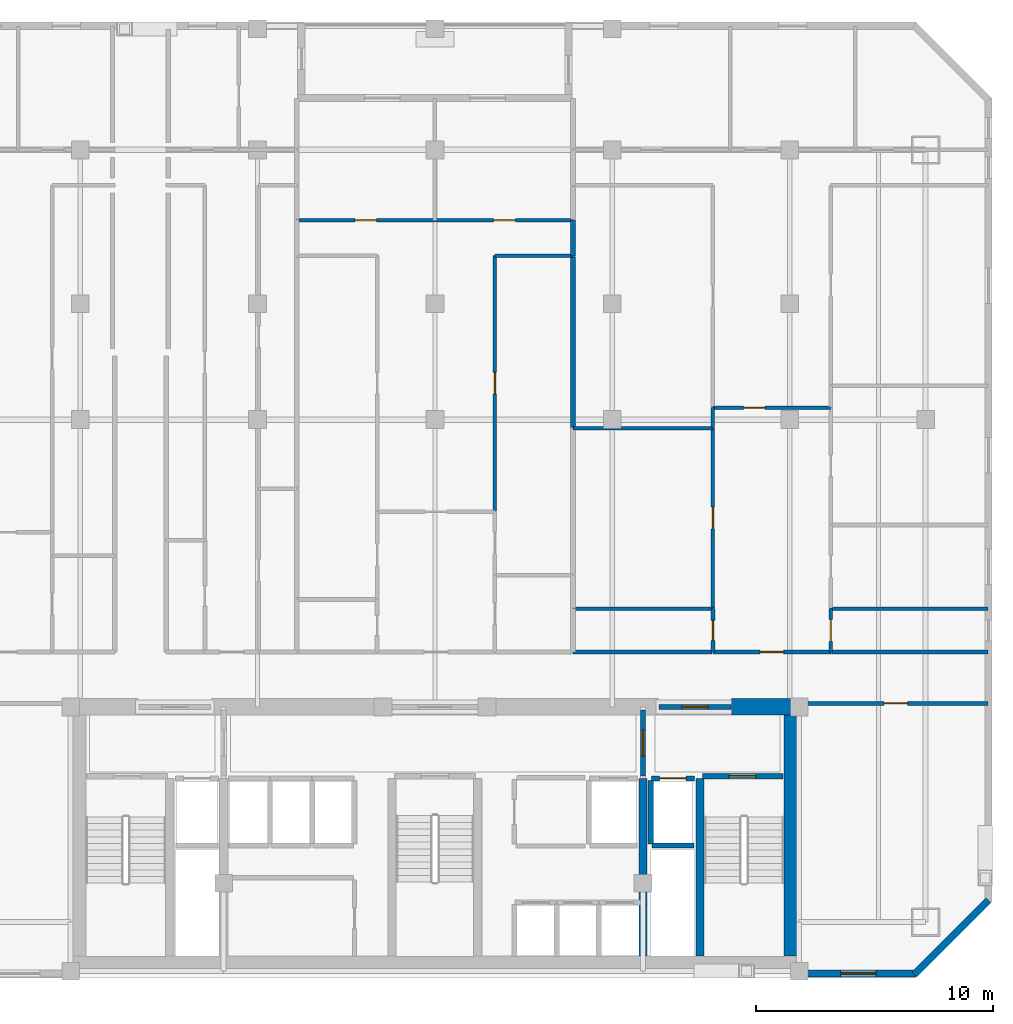
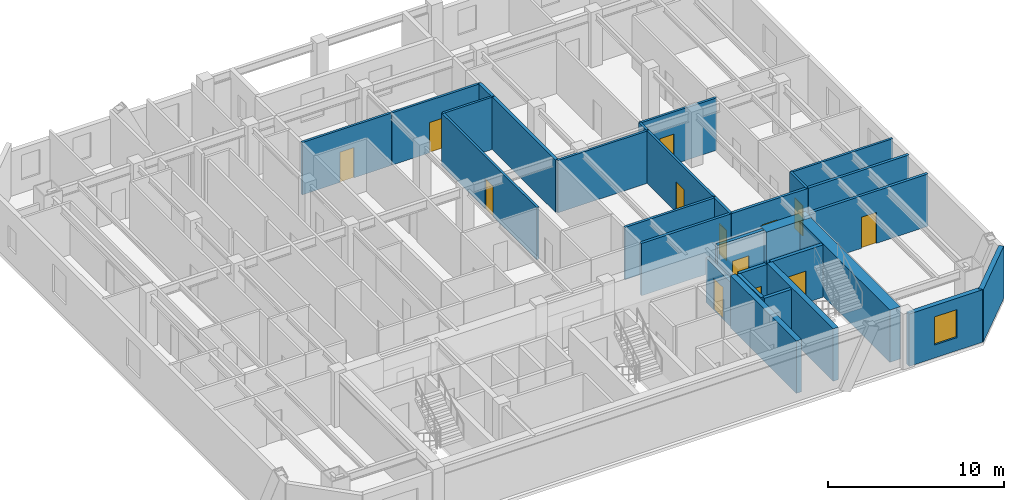
# One storey, part 5 of 8: 30 walls, 13 doors, 1 window, 14 openings.
"""IFC4 building model written with IfcOpenShell, lengths in metres."""

from ifc_helpers import new_model, si_unit, direction, frame, frame_2d, origin, place, context, subcontext, project, spatial, rectangle, extrude, material, layer, layer_set, type_object, element, fill, save


model = new_model("IFC4")

# Units and contexts
model_context = context("Model", 3, precision=1e-05, world=origin(), true_north=direction((0.0, 1.0)))
body_context = subcontext(model_context, "Body", "Model", "MODEL_VIEW")
ifc_project = project(units=[si_unit("LENGTHUNIT", "METRE"), si_unit("AREAUNIT", "SQUARE_METRE"), si_unit("VOLUMEUNIT", "CUBIC_METRE"), si_unit("PLANEANGLEUNIT", "RADIAN"), si_unit("MASSUNIT", "GRAM", prefix="KILO")], contexts=[model_context])

# Site, building, storey
site_placement = place(None, origin())
site = spatial("IfcSite", under=ifc_project, at=site_placement, CompositionType="ELEMENT")
building_placement = place(site_placement, origin())
building = spatial("IfcBuilding", under=site, at=building_placement, Name="Ventersveld Concourse Tower", CompositionType="ELEMENT")
storey_placement = place(building_placement, frame((0.0, 0.0, 179.85009765625)))
storey = spatial("IfcBuildingStorey", under=building, at=storey_placement, Name="L44", CompositionType="ELEMENT", Elevation=179.85009765625)

# Walls
ifc_material_1 = material(Name="Concrete C60/75", Category="concrete")
ifc_layer_1 = layer(ifc_material_1, 0.35009765625)
ifc_layer_set_1 = layer_set([ifc_layer_1], Name="Concrete C60/75")
wall_type_1 = type_object("IfcWallType", Name="WL-CORE-350L", PredefinedType="SHEAR", material=ifc_layer_set_1)
for number, where, z_axis, x_axis, name in (
    (1, (37.550048828125, 0.919921875, 0.0), (0.0, 0.0, 1.0), (0.0, 1.0, 0.0), "L44 Core Internal Shear Web W-SVL-W"),
    (2, (39.9599609375, 0.919921875, 0.0), (0.0, 0.0, 1.0), (0.0, 1.0, 0.0), "L44 Core Internal Shear Web W-ST2-W"),
):
    element("IfcWall", number, at=place(storey_placement, frame(where, z_axis=z_axis, x_axis=x_axis)), inside=storey, type_object=wall_type_1, Name=name, PredefinedType="SHEAR", context=body_context, shape_type="SweptSolid", body=[
        extrude(rectangle(XDim=7.5, YDim=0.35009765625, at=frame_2d((3.75, 0.0))), origin(), (0.0, 0.0, 1.0), 3.6298828125),
    ])
ifc_layer_2 = layer(ifc_material_1, 0.699951171875)
ifc_layer_set_2 = layer_set([ifc_layer_2], Name="Concrete C60/75")
wall_type_2 = type_object("IfcWallType", Name="WL-CORE-700", PredefinedType="SHEAR", material=ifc_layer_set_2)
wall_1_placement = place(storey_placement, frame((43.85009765625, 0.919921875, 0.0), z_axis=(0.0, 0.0, 1.0), x_axis=(0.0, 1.0, 0.0)))
element("IfcWall", 3, at=wall_1_placement, inside=storey, type_object=wall_type_2, Name="L44 Rear Core East Shear Wall", PredefinedType="SHEAR", context=body_context, shape_type="SweptSolid", body=[
    extrude(rectangle(XDim=10.530029296875, YDim=0.699951171875, at=frame_2d((5.26513671875, 0.0))), origin(), (0.0, 0.0, 1.0), 3.6298828125),
])
wall_2_placement = place(storey_placement, frame((41.300048828125, 11.449951171875, 0.0), z_axis=(0.0, 0.0, 1.0), x_axis=(1.0, 0.0, 0.0)))
element("IfcWall", 4, at=wall_2_placement, inside=storey, type_object=wall_type_2, Name="L44 Rear Core North Shear Wall NE", PredefinedType="SHEAR", context=body_context, shape_type="SweptSolid", body=[
    extrude(rectangle(XDim=2.949951171875, YDim=0.699951171875, at=frame_2d((1.47509765625, 0.0))), origin(), (0.0, 0.0, 1.0), 3.6298828125),
])

# Wall, opening, door
ifc_material_2 = material(Name="Fire-rated autoclaved aerated masonry blockwork", Category="masonry")
ifc_layer_3 = layer(ifc_material_2, 0.179931640625)
ifc_layer_set_3 = layer_set([ifc_layer_3], Name="Fire-rated autoclaved aerated masonry blockwork")
wall_type_3 = type_object("IfcWallType", Name="WL-CORR-180", PredefinedType="PARTITIONING", material=ifc_layer_set_3)
wall_3_placement = place(storey_placement, frame((44.35498046875, 11.60009765625, 0.0), z_axis=(0.0, 0.0, 1.0), x_axis=(1.0, 0.0, 0.0)))
wall_3 = element("IfcWall", 5, at=wall_3_placement, inside=storey, type_object=wall_type_3, Name="L44 Interior Partition SP-L44-SE-OFF-SP-L44-COR", PredefinedType="PARTITIONING", context=body_context, shape_type="SweptSolid", body=[
    extrude(rectangle(XDim=7.7724609375, YDim=0.179931640625, at=frame_2d((3.88623046875, 0.0))), origin(), (0.0, 0.0, 1.0), 3.6298828125),
])
opening_1_placement = place(wall_3_placement, frame((3.38623046875, 0.0, 0.0)))
opening_1 = element("IfcOpeningElement", 6, at=opening_1_placement, cuts=wall_3, Name="Opening FD3", PredefinedType="OPENING", context=body_context, shape_type="SweptSolid", body=[
    extrude(rectangle(XDim=1.0, YDim=2.14990234375, at=frame_2d((0.5, 1.074951171875))), frame((0.0, 0.10009765625, 0.0), z_axis=(0.0, -1.0, 0.0), x_axis=(1.0, 0.0, 0.0)), (0.0, 0.0, 1.0), 0.199951171875),
])
ifc_material_3 = material(Name="Solid-core hardwood veneer timber", Category="wood")
door_type_1 = type_object("IfcDoorType", Name="DR-FLAT-100", OperationType="NOTDEFINED", PredefinedType="DOOR", material=ifc_material_3)
door_1_placement = place(opening_1_placement, origin())
door_1 = element("IfcDoor", 7, at=door_1_placement, inside=storey, type_object=door_type_1, Name="L44 Interior Door SP-L44-SE-OFF to SP-L44-COR (D-L44-2152)", OperationType="SINGLE_SWING_RIGHT", OverallHeight=2.14990234375, OverallWidth=1.0, PredefinedType="DOOR", context=body_context, shape_type="SweptSolid", body=[
    extrude(rectangle(XDim=1.0, YDim=2.14990234375, at=frame_2d((0.5, 1.074951171875))), frame((0.0, 0.02490234375, 0.0), z_axis=(0.0, -1.0, 0.0), x_axis=(1.0, 0.0, 0.0)), (0.0, 0.0, 1.0), 0.050048828125),
])
fill(opening_1, door_1)

wall_4_placement = place(storey_placement, frame((40.500244140625, 13.77001953125, 0.0), z_axis=(0.0, 0.0, 1.0), x_axis=(1.0, 0.0, 0.0)))
wall_4 = element("IfcWall", 8, at=wall_4_placement, inside=storey, type_object=wall_type_3, Name="L44 Interior Partition SP-L44-COR-SP-L44-44CE-FOY", PredefinedType="PARTITIONING", context=body_context, shape_type="SweptSolid", body=[
    extrude(rectangle(XDim=4.989990234375, YDim=0.179931640625, at=frame_2d((2.4951171875, 0.0))), origin(), (0.0, 0.0, 1.0), 3.6298828125),
])
opening_2_placement = place(wall_4_placement, frame((1.9951171875, 0.0, 0.0)))
opening_2 = element("IfcOpeningElement", 9, at=opening_2_placement, cuts=wall_4, Name="Opening FD3", PredefinedType="OPENING", context=body_context, shape_type="SweptSolid", body=[
    extrude(rectangle(XDim=1.0, YDim=2.14990234375, at=frame_2d((0.5, 1.074951171875))), frame((0.0, 0.10009765625, 0.0), z_axis=(0.0, -1.0, 0.0), x_axis=(1.0, 0.0, 0.0)), (0.0, 0.0, 1.0), 0.199951171875),
])
door_2_placement = place(opening_2_placement, origin())
door_2 = element("IfcDoor", 10, at=door_2_placement, inside=storey, type_object=door_type_1, Name="L44 Interior Door SP-L44-COR to SP-L44-44CE-FOY (FD-L44-2155)", OperationType="SINGLE_SWING_LEFT", OverallHeight=2.14990234375, OverallWidth=1.0, PredefinedType="DOOR", context=body_context, shape_type="SweptSolid", body=[
    extrude(rectangle(XDim=1.0, YDim=2.14990234375, at=frame_2d((0.5, 1.074951171875))), frame((0.0, 0.02490234375, 0.0), z_axis=(0.0, -1.0, 0.0), x_axis=(1.0, 0.0, 0.0)), (0.0, 0.0, 1.0), 0.050048828125),
])
fill(opening_2, door_2)

# Walls
wall_5_placement = place(storey_placement, frame((34.5849609375, 13.77001953125, 0.0), z_axis=(0.0, 0.0, 1.0), x_axis=(1.0, 0.0, 0.0)))
element("IfcWall", 11, at=wall_5_placement, inside=storey, type_object=wall_type_3, Name="L44 Interior Partition SP-L44-COR-SP-L44-44CE-BATH", PredefinedType="PARTITIONING", context=body_context, shape_type="SweptSolid", body=[
    extrude(rectangle(XDim=5.88525390625, YDim=0.179931640625, at=frame_2d((2.942626953125, 0.0))), origin(), (0.0, 0.0, 1.0), 3.6298828125),
])
wall_6_placement = place(storey_placement, frame((45.520263671875, 13.77001953125, 0.0), z_axis=(0.0, 0.0, 1.0), x_axis=(1.0, 0.0, 0.0)))
element("IfcWall", 12, at=wall_6_placement, inside=storey, type_object=wall_type_3, Name="L44 Interior Partition SP-L44-COR-SP-L44-44CE-KIT", PredefinedType="PARTITIONING", context=body_context, shape_type="SweptSolid", body=[
    extrude(rectangle(XDim=6.607177734375, YDim=0.179931640625, at=frame_2d((3.3037109375, 0.0))), origin(), (0.0, 0.0, 1.0), 3.6298828125),
])
ifc_layer_4 = layer(ifc_material_2, 0.199951171875)
ifc_layer_set_4 = layer_set([ifc_layer_4], Name="Fire-rated autoclaved aerated masonry blockwork")
wall_type_4 = type_object("IfcWallType", Name="WL-DEMISE-200", PredefinedType="PARTITIONING", material=ifc_layer_set_4)
wall_7_placement = place(storey_placement, frame((34.590087890625, 30.52490234375, 0.0), z_axis=(0.0, 0.0, 1.0), x_axis=(0.0, 1.0, 0.0)))
element("IfcWall", 13, at=wall_7_placement, inside=storey, type_object=wall_type_4, Name="L44 Interior Partition SP-L44-44CE-DENL2-SP-L44-44CM-LIV", PredefinedType="PARTITIONING", context=body_context, shape_type="SweptSolid", body=[
    extrude(rectangle(XDim=1.510009765625, YDim=0.199951171875, at=frame_2d((0.7548828125, 0.0))), origin(), (0.0, 0.0, 1.0), 3.6298828125),
])
wall_8_placement = place(storey_placement, frame((34.590087890625, 23.271484375, 0.0), z_axis=(0.0, 0.0, 1.0), x_axis=(0.0, 1.0, 0.0)))
element("IfcWall", 14, at=wall_8_placement, inside=storey, type_object=wall_type_4, Name="L44 Interior Partition SP-L44-44CE-DENL2-SP-L44-44CM-SEMR1", PredefinedType="PARTITIONING", context=body_context, shape_type="SweptSolid", body=[
    extrude(rectangle(XDim=7.2236328125, YDim=0.199951171875, at=frame_2d((3.61181640625, 0.0))), origin(), (0.0, 0.0, 1.0), 3.6298828125),
])
ifc_layer_5 = layer(ifc_material_2, 0.219970703125)
ifc_layer_set_5 = layer_set([ifc_layer_5], Name="Fire-rated autoclaved aerated masonry blockwork")
wall_type_5 = type_object("IfcWallType", Name="WL-HOIST-220", PredefinedType="SOLIDWALL", material=ifc_layer_set_5)
wall_9_placement = place(storey_placement, frame((37.919921875, 5.590087890625, 0.0), z_axis=(0.0, 0.0, 1.0), x_axis=(1.0, 0.0, 0.0)))
element("IfcWall", 15, at=wall_9_placement, inside=storey, type_object=wall_type_5, Name="L44 Lift Hoistway Back Wall FFL-02", PredefinedType="SOLIDWALL", context=body_context, shape_type="SweptSolid", body=[
    extrude(rectangle(XDim=1.780029296875, YDim=0.219970703125, at=frame_2d((0.89013671875, 0.0))), origin(), (0.0, 0.0, 1.0), 3.6298828125),
])
wall_10_placement = place(storey_placement, frame((37.8798828125, 5.64990234375, 0.0), z_axis=(0.0, 0.0, 1.0), x_axis=(0.0, 1.0, 0.0)))
element("IfcWall", 16, at=wall_10_placement, inside=storey, type_object=wall_type_5, Name="L44 Lift Hoistway Side Wall FFL-02W", PredefinedType="SOLIDWALL", context=body_context, shape_type="SweptSolid", body=[
    extrude(rectangle(XDim=2.7001953125, YDim=0.219970703125, at=frame_2d((1.35009765625, 0.0))), origin(), (0.0, 0.0, 1.0), 3.6298828125),
])

# Wall, opening, door
wall_11_placement = place(storey_placement, frame((37.89990234375, 8.429931640625, 0.0), z_axis=(0.0, 0.0, 1.0), x_axis=(1.0, 0.0, 0.0)))
wall_11 = element("IfcWall", 17, at=wall_11_placement, inside=storey, type_object=wall_type_5, Name="L44 Lift Hoistway Front Wall FFL-02", PredefinedType="SOLIDWALL", context=body_context, shape_type="SweptSolid", body=[
    extrude(rectangle(XDim=1.820068359375, YDim=0.219970703125, at=frame_2d((0.91015625, 0.0))), origin(), (0.0, 0.0, 1.0), 3.6298828125),
])
opening_3_placement = place(wall_11_placement, frame((0.35009765625, 0.0, 0.0)))
opening_3 = element("IfcOpeningElement", 18, at=opening_3_placement, cuts=wall_11, Name="Opening LD1", PredefinedType="OPENING", context=body_context, shape_type="SweptSolid", body=[
    extrude(rectangle(XDim=1.1201171875, YDim=2.25, at=frame_2d((0.56005859375, 1.125))), frame((0.0, 0.1201171875, 0.0), z_axis=(0.0, -1.0, 0.0), x_axis=(1.0, 0.0, 0.0)), (0.0, 0.0, 1.0), 0.239990234375),
])
ifc_material_4 = material(Name="Brushed stainless steel 316", Category="steel")
door_type_2 = type_object("IfcDoorType", Name="LD-FF-112", OperationType="SLIDING_TO_LEFT", PredefinedType="DOOR", material=ifc_material_4)
door_3_placement = place(opening_3_placement, origin())
door_3 = element("IfcDoor", 19, at=door_3_placement, inside=storey, type_object=door_type_2, Name="L44 Lift landing door FFL-02 (LD-L44-FFL-02)", OperationType="SLIDING_TO_RIGHT", OverallHeight=2.25, OverallWidth=1.1201171875, PredefinedType="DOOR", context=body_context, shape_type="SweptSolid", body=[
    extrude(rectangle(XDim=1.1201171875, YDim=2.25, at=frame_2d((0.56005859375, 1.125))), frame((0.0, 0.02490234375, 0.0), z_axis=(0.0, -1.0, 0.0), x_axis=(1.0, 0.0, 0.0)), (0.0, 0.0, 1.0), 0.050048828125),
])
fill(opening_3, door_3)

wall_12_placement = place(storey_placement, frame((40.06005859375, 8.52001953125, 0.0), z_axis=(0.0, 0.0, 1.0), x_axis=(1.0, 0.0, 0.0)))
wall_12 = element("IfcWall", 20, at=wall_12_placement, inside=storey, type_object=wall_type_5, Name="L44 Escape Stair ST02 Fire Wall", PredefinedType="SOLIDWALL", context=body_context, shape_type="SweptSolid", body=[
    extrude(rectangle(XDim=3.39990234375, YDim=0.219970703125, at=frame_2d((1.699951171875, 0.0))), origin(), (0.0, 0.0, 1.0), 3.6298828125),
])
opening_4_placement = place(wall_12_placement, frame((1.125, 0.0, 0.0)))
opening_4 = element("IfcOpeningElement", 21, at=opening_4_placement, cuts=wall_12, Name="Opening FD1", PredefinedType="OPENING", context=body_context, shape_type="SweptSolid", body=[
    extrude(rectangle(XDim=1.14990234375, YDim=2.199951171875, at=frame_2d((0.574951171875, 1.10009765625))), frame((0.0, 0.1201171875, 0.0), z_axis=(0.0, -1.0, 0.0), x_axis=(1.0, 0.0, 0.0)), (0.0, 0.0, 1.0), 0.239990234375),
])
ifc_material_5 = material(Name="Galvanised painted steel", Category="steel")
door_type_3 = type_object("IfcDoorType", Name="DR-STAIR-115", OperationType="NOTDEFINED", PredefinedType="DOOR", material=ifc_material_5)
door_4_placement = place(opening_4_placement, origin())
door_4 = element("IfcDoor", 22, at=door_4_placement, inside=storey, type_object=door_type_3, Name="L44 Escape Stair Door ST02 (SD-L44-2142)", OperationType="SINGLE_SWING_RIGHT", OverallHeight=2.199951171875, OverallWidth=1.14990234375, PredefinedType="DOOR", context=body_context, shape_type="SweptSolid", body=[
    extrude(rectangle(XDim=1.14990234375, YDim=2.199951171875, at=frame_2d((0.574951171875, 1.10009765625))), frame((0.0, 0.02490234375, 0.0), z_axis=(0.0, -1.0, 0.0), x_axis=(1.0, 0.0, 0.0)), (0.0, 0.0, 1.0), 0.050048828125),
])
fill(opening_4, door_4)

wall_13_placement = place(storey_placement, frame((37.550048828125, 8.52001953125, 0.0), z_axis=(0.0, 0.0, 1.0), x_axis=(0.0, 1.0, 0.0)))
wall_13 = element("IfcWall", 23, at=wall_13_placement, inside=storey, type_object=wall_type_5, Name="L44 Firefighting Lobby Smoke-Stop Wall FFLE-SEP", PredefinedType="SOLIDWALL", context=body_context, shape_type="SweptSolid", body=[
    extrude(rectangle(XDim=2.800048828125, YDim=0.219970703125, at=frame_2d((1.39990234375, 0.0))), origin(), (0.0, 0.0, 1.0), 3.08544921875),
])
opening_5_placement = place(wall_13_placement, frame((0.85009765625, 0.0, 0.0)))
opening_5 = element("IfcOpeningElement", 24, at=opening_5_placement, cuts=wall_13, Name="Opening FD2", PredefinedType="OPENING", context=body_context, shape_type="SweptSolid", body=[
    extrude(rectangle(XDim=1.10009765625, YDim=2.199951171875, at=frame_2d((0.550048828125, 1.10009765625))), frame((0.0, 0.1201171875, 0.0), z_axis=(0.0, -1.0, 0.0), x_axis=(1.0, 0.0, 0.0)), (0.0, 0.0, 1.0), 0.239990234375),
])
door_type_4 = type_object("IfcDoorType", Name="DR-FFL-110", OperationType="NOTDEFINED", PredefinedType="DOOR", material=ifc_material_5)
door_5_placement = place(opening_5_placement, origin())
door_5 = element("IfcDoor", 25, at=door_5_placement, inside=storey, type_object=door_type_4, Name="L44 Firefighting Lobby Door FFLE-SEP (FD-L44-2145)", OperationType="SINGLE_SWING_RIGHT", OverallHeight=2.199951171875, OverallWidth=1.10009765625, PredefinedType="DOOR", context=body_context, shape_type="SweptSolid", body=[
    extrude(rectangle(XDim=1.10009765625, YDim=2.199951171875, at=frame_2d((0.550048828125, 1.10009765625))), frame((0.0, 0.02490234375, 0.0), z_axis=(0.0, -1.0, 0.0), x_axis=(1.0, 0.0, 0.0)), (0.0, 0.0, 1.0), 0.050048828125),
])
fill(opening_5, door_5)

wall_14_placement = place(storey_placement, frame((38.22998046875, 11.449951171875, 0.0), z_axis=(0.0, 0.0, 1.0), x_axis=(1.0, 0.0, 0.0)))
wall_14 = element("IfcWall", 26, at=wall_14_placement, inside=storey, type_object=wall_type_5, Name="L44 Core North Fire Portal FFLE-OUT", PredefinedType="SOLIDWALL", context=body_context, shape_type="SweptSolid", body=[
    extrude(rectangle(XDim=3.0400390625, YDim=0.219970703125, at=frame_2d((1.52001953125, 0.0))), origin(), (0.0, 0.0, 1.0), 3.6298828125),
])
opening_6_placement = place(wall_14_placement, frame((0.969970703125, 0.0, 0.0)))
opening_6 = element("IfcOpeningElement", 27, at=opening_6_placement, cuts=wall_14, Name="Opening FD2", PredefinedType="OPENING", context=body_context, shape_type="SweptSolid", body=[
    extrude(rectangle(XDim=1.10009765625, YDim=2.199951171875, at=frame_2d((0.550048828125, 1.10009765625))), frame((0.0, 0.1201171875, 0.0), z_axis=(0.0, -1.0, 0.0), x_axis=(1.0, 0.0, 0.0)), (0.0, 0.0, 1.0), 0.239990234375),
])
door_6_placement = place(opening_6_placement, origin())
door_6 = element("IfcDoor", 28, at=door_6_placement, inside=storey, type_object=door_type_4, Name="L44 Core Lobby Fire Door FFLE-OUT (FD-L44-2148)", OperationType="SINGLE_SWING_LEFT", OverallHeight=2.199951171875, OverallWidth=1.10009765625, PredefinedType="DOOR", context=body_context, shape_type="SweptSolid", body=[
    extrude(rectangle(XDim=1.10009765625, YDim=2.199951171875, at=frame_2d((0.550048828125, 1.10009765625))), frame((0.0, 0.02490234375, 0.0), z_axis=(0.0, -1.0, 0.0), x_axis=(1.0, 0.0, 0.0)), (0.0, 0.0, 1.0), 0.050048828125),
])
fill(opening_6, door_6)

ifc_material_6 = material(Name="Autoclaved aerated masonry blockwork", Category="masonry")
ifc_layer_6 = layer(ifc_material_6, 0.14990234375)
ifc_layer_set_6 = layer_set([ifc_layer_6], Name="Autoclaved aerated masonry blockwork")
wall_type_6 = type_object("IfcWallType", Name="WL-INT-150", PredefinedType="PARTITIONING", material=ifc_layer_set_6)
wall_15_placement = place(storey_placement, frame((40.500244140625, 24.105712890625, 0.0), z_axis=(0.0, 0.0, 1.0), x_axis=(1.0, 0.0, 0.0)))
wall_15 = element("IfcWall", 29, at=wall_15_placement, inside=storey, type_object=wall_type_6, Name="L44 Interior Partition SP-L44-44CE-FOY-SP-L44-44CE-LIV", PredefinedType="PARTITIONING", context=body_context, shape_type="SweptSolid", body=[
    extrude(rectangle(XDim=4.989990234375, YDim=0.14990234375, at=frame_2d((2.4951171875, 0.0))), origin(), (0.0, 0.0, 1.0), 3.6298828125),
])
opening_7_placement = place(wall_15_placement, frame((1.28662109375, 0.0, 0.0)))
opening_7 = element("IfcOpeningElement", 30, at=opening_7_placement, cuts=wall_15, Name="Opening ID1", PredefinedType="OPENING", context=body_context, shape_type="SweptSolid", body=[
    extrude(rectangle(XDim=0.919921875, YDim=2.10009765625, at=frame_2d((0.4599609375, 1.050048828125))), frame((0.0, 0.0849609375, 0.0), z_axis=(0.0, -1.0, 0.0), x_axis=(1.0, 0.0, 0.0)), (0.0, 0.0, 1.0), 0.169921875),
])
door_type_5 = type_object("IfcDoorType", Name="DR-ROOM-092", OperationType="NOTDEFINED", PredefinedType="DOOR", material=ifc_material_3)
door_7_placement = place(opening_7_placement, origin())
door_7 = element("IfcDoor", 31, at=door_7_placement, inside=storey, type_object=door_type_5, Name="L44 Interior Door SP-L44-44CE-FOY to SP-L44-44CE-LIV (D-L44-2172)", OperationType="SINGLE_SWING_RIGHT", OverallHeight=2.10009765625, OverallWidth=0.919921875, PredefinedType="DOOR", context=body_context, shape_type="SweptSolid", body=[
    extrude(rectangle(XDim=0.919921875, YDim=2.10009765625, at=frame_2d((0.4599609375, 1.050048828125))), frame((0.0, 0.02490234375, 0.0), z_axis=(0.0, -1.0, 0.0), x_axis=(1.0, 0.0, 0.0)), (0.0, 0.0, 1.0), 0.050048828125),
])
fill(opening_7, door_7)

wall_16_placement = place(storey_placement, frame((40.50537109375, 15.635009765625, 0.0), z_axis=(0.0, 0.0, 1.0), x_axis=(0.0, 1.0, 0.0)))
wall_16 = element("IfcWall", 32, at=wall_16_placement, inside=storey, type_object=wall_type_6, Name="L44 Interior Partition SP-L44-44CE-FOY-SP-L44-44CE-OFFL0", PredefinedType="PARTITIONING", context=body_context, shape_type="SweptSolid", body=[
    extrude(rectangle(XDim=7.6064453125, YDim=0.14990234375, at=frame_2d((3.80322265625, 0.0))), origin(), (0.0, 0.0, 1.0), 3.6298828125),
])
opening_8_placement = place(wall_16_placement, frame((3.34326171875, 0.0, 0.0)))
opening_8 = element("IfcOpeningElement", 33, at=opening_8_placement, cuts=wall_16, Name="Opening ID1", PredefinedType="OPENING", context=body_context, shape_type="SweptSolid", body=[
    extrude(rectangle(XDim=0.919921875, YDim=2.10009765625, at=frame_2d((0.4599609375, 1.050048828125))), frame((0.0, 0.0849609375, 0.0), z_axis=(0.0, -1.0, 0.0), x_axis=(1.0, 0.0, 0.0)), (0.0, 0.0, 1.0), 0.169921875),
])
door_8_placement = place(opening_8_placement, origin())
door_8 = element("IfcDoor", 34, at=door_8_placement, inside=storey, type_object=door_type_5, Name="L44 Interior Door SP-L44-44CE-FOY to SP-L44-44CE-OFFL0 (D-L44-2174)", OperationType="SINGLE_SWING_RIGHT", OverallHeight=2.10009765625, OverallWidth=0.919921875, PredefinedType="DOOR", context=body_context, shape_type="SweptSolid", body=[
    extrude(rectangle(XDim=0.919921875, YDim=2.10009765625, at=frame_2d((0.4599609375, 1.050048828125))), frame((0.0, 0.02490234375, 0.0), z_axis=(0.0, -1.0, 0.0), x_axis=(1.0, 0.0, 0.0)), (0.0, 0.0, 1.0), 0.050048828125),
])
fill(opening_8, door_8)

# Wall
wall_17_placement = place(storey_placement, frame((40.50537109375, 23.271484375, 0.0), z_axis=(0.0, 0.0, 1.0), x_axis=(0.0, 1.0, 0.0)))
element("IfcWall", 35, at=wall_17_placement, inside=storey, type_object=wall_type_6, Name="L44 Interior Partition SP-L44-44CE-FOY-SP-L44-44CE-DENL2", PredefinedType="PARTITIONING", context=body_context, shape_type="SweptSolid", body=[
    extrude(rectangle(XDim=0.83935546875, YDim=0.14990234375, at=frame_2d((0.419677734375, 0.0))), origin(), (0.0, 0.0, 1.0), 3.6298828125),
])

# Wall, opening, door
wall_18_placement = place(storey_placement, frame((45.4853515625, 13.764892578125, 0.0), z_axis=(0.0, 0.0, 1.0), x_axis=(0.0, 1.0, 0.0)))
wall_18 = element("IfcWall", 36, at=wall_18_placement, inside=storey, type_object=wall_type_6, Name="L44 Interior Partition SP-L44-44CE-FOY-SP-L44-44CE-KIT", PredefinedType="PARTITIONING", context=body_context, shape_type="SweptSolid", body=[
    extrude(rectangle(XDim=1.843994140625, YDim=0.14990234375, at=frame_2d((0.921875, 0.0))), origin(), (0.0, 0.0, 1.0), 3.6298828125),
])
opening_9_placement = place(wall_18_placement, frame((0.4619140625, 0.0, 0.0)))
opening_9 = element("IfcOpeningElement", 37, at=opening_9_placement, cuts=wall_18, Name="Opening ID1", PredefinedType="OPENING", context=body_context, shape_type="SweptSolid", body=[
    extrude(rectangle(XDim=0.919921875, YDim=2.10009765625, at=frame_2d((0.4599609375, 1.050048828125))), frame((0.0, 0.0849609375, 0.0), z_axis=(0.0, -1.0, 0.0), x_axis=(1.0, 0.0, 0.0)), (0.0, 0.0, 1.0), 0.169921875),
])
door_9_placement = place(opening_9_placement, origin())
door_9 = element("IfcDoor", 38, at=door_9_placement, inside=storey, type_object=door_type_5, Name="L44 Interior Door SP-L44-44CE-FOY to SP-L44-44CE-KIT (D-L44-2175)", OperationType="SINGLE_SWING_LEFT", OverallHeight=2.10009765625, OverallWidth=0.919921875, PredefinedType="DOOR", context=body_context, shape_type="SweptSolid", body=[
    extrude(rectangle(XDim=0.919921875, YDim=2.10009765625, at=frame_2d((0.4599609375, 1.050048828125))), frame((0.0, 0.02490234375, 0.0), z_axis=(0.0, -1.0, 0.0), x_axis=(1.0, 0.0, 0.0)), (0.0, 0.0, 1.0), 0.050048828125),
])
fill(opening_9, door_9)

# Walls
wall_19_placement = place(storey_placement, frame((34.5849609375, 23.236572265625, 0.0), z_axis=(0.0, 0.0, 1.0), x_axis=(1.0, 0.0, 0.0)))
element("IfcWall", 39, at=wall_19_placement, inside=storey, type_object=wall_type_6, Name="L44 Interior Partition SP-L44-44CE-OFFL0-SP-L44-44CE-DENL2", PredefinedType="PARTITIONING", context=body_context, shape_type="SweptSolid", body=[
    extrude(rectangle(XDim=5.92529296875, YDim=0.14990234375, at=frame_2d((2.962646484375, 0.0))), origin(), (0.0, 0.0, 1.0), 3.6298828125),
])
wall_20_placement = place(storey_placement, frame((45.480224609375, 15.603759765625, 0.0), z_axis=(0.0, 0.0, 1.0), x_axis=(1.0, 0.0, 0.0)))
element("IfcWall", 40, at=wall_20_placement, inside=storey, type_object=wall_type_6, Name="L44 Interior Partition SP-L44-44CE-KIT-SP-L44-44CE-SEMR1", PredefinedType="PARTITIONING", context=body_context, shape_type="SweptSolid", body=[
    extrude(rectangle(XDim=6.647216796875, YDim=0.14990234375, at=frame_2d((3.32373046875, 0.0))), origin(), (0.0, 0.0, 1.0), 3.6298828125),
])

# Wall, opening, door
wall_21_placement = place(storey_placement, frame((31.287841796875, 19.74072265625, 0.0), z_axis=(0.0, 0.0, 1.0), x_axis=(0.0, 1.0, 0.0)))
wall_21 = element("IfcWall", 41, at=wall_21_placement, inside=storey, type_object=wall_type_6, Name="L44 Interior Partition SP-L44-44CM-LIV-SP-L44-44CM-SEMR1", PredefinedType="PARTITIONING", context=body_context, shape_type="SweptSolid", body=[
    extrude(rectangle(XDim=10.794189453125, YDim=0.14990234375, at=frame_2d((5.39697265625, 0.0))), origin(), (0.0, 0.0, 1.0), 3.6298828125),
])
opening_10_placement = place(wall_21_placement, frame((4.93701171875, 0.0, 0.0)))
opening_10 = element("IfcOpeningElement", 42, at=opening_10_placement, cuts=wall_21, Name="Opening ID1", PredefinedType="OPENING", context=body_context, shape_type="SweptSolid", body=[
    extrude(rectangle(XDim=0.919921875, YDim=2.10009765625, at=frame_2d((0.4599609375, 1.050048828125))), frame((0.0, 0.0849609375, 0.0), z_axis=(0.0, -1.0, 0.0), x_axis=(1.0, 0.0, 0.0)), (0.0, 0.0, 1.0), 0.169921875),
])
door_10_placement = place(opening_10_placement, origin())
door_10 = element("IfcDoor", 43, at=door_10_placement, inside=storey, type_object=door_type_5, Name="L44 Interior Door SP-L44-44CM-LIV to SP-L44-44CM-SEMR1 (D-L44-2189)", OperationType="SINGLE_SWING_LEFT", OverallHeight=2.10009765625, OverallWidth=0.919921875, PredefinedType="DOOR", context=body_context, shape_type="SweptSolid", body=[
    extrude(rectangle(XDim=0.919921875, YDim=2.10009765625, at=frame_2d((0.4599609375, 1.050048828125))), frame((0.0, 0.02490234375, 0.0), z_axis=(0.0, -1.0, 0.0), x_axis=(1.0, 0.0, 0.0)), (0.0, 0.0, 1.0), 0.050048828125),
])
fill(opening_10, door_10)

# Wall
wall_22_placement = place(storey_placement, frame((31.28271484375, 30.530029296875, 0.0), z_axis=(0.0, 0.0, 1.0), x_axis=(1.0, 0.0, 0.0)))
element("IfcWall", 44, at=wall_22_placement, inside=storey, type_object=wall_type_6, Name="L44 Interior Partition SP-L44-44CM-LIV-SP-L44-44CM-SEMR1", PredefinedType="PARTITIONING", context=body_context, shape_type="SweptSolid", body=[
    extrude(rectangle(XDim=3.312255859375, YDim=0.14990234375, at=frame_2d((1.65625, 0.0))), origin(), (0.0, 0.0, 1.0), 3.6298828125),
])

# Wall, opening, door
wall_23_placement = place(storey_placement, frame((22.905029296875, 32.030029296875, 0.0), z_axis=(0.0, 0.0, 1.0), x_axis=(1.0, 0.0, 0.0)))
wall_23 = element("IfcWall", 45, at=wall_23_placement, inside=storey, type_object=wall_type_6, Name="L44 Interior Partition SP-L44-44CM-LIV-SP-L44-44CM-BR1", PredefinedType="PARTITIONING", context=body_context, shape_type="SweptSolid", body=[
    extrude(rectangle(XDim=5.849853515625, YDim=0.14990234375, at=frame_2d((2.9248046875, 0.0))), origin(), (0.0, 0.0, 1.0), 3.6298828125),
])
opening_11_placement = place(wall_23_placement, frame((2.465087890625, 0.0, 0.0)))
opening_11 = element("IfcOpeningElement", 46, at=opening_11_placement, cuts=wall_23, Name="Opening ID1", PredefinedType="OPENING", context=body_context, shape_type="SweptSolid", body=[
    extrude(rectangle(XDim=0.919921875, YDim=2.10009765625, at=frame_2d((0.4599609375, 1.050048828125))), frame((0.0, 0.0849609375, 0.0), z_axis=(0.0, -1.0, 0.0), x_axis=(1.0, 0.0, 0.0)), (0.0, 0.0, 1.0), 0.169921875),
])
door_11_placement = place(opening_11_placement, origin())
door_11 = element("IfcDoor", 47, at=door_11_placement, inside=storey, type_object=door_type_5, Name="L44 Interior Door SP-L44-44CM-LIV to SP-L44-44CM-BR1 (D-L44-2190)", OperationType="SINGLE_SWING_RIGHT", OverallHeight=2.10009765625, OverallWidth=0.919921875, PredefinedType="DOOR", context=body_context, shape_type="SweptSolid", body=[
    extrude(rectangle(XDim=0.919921875, YDim=2.10009765625, at=frame_2d((0.4599609375, 1.050048828125))), frame((0.0, 0.02490234375, 0.0), z_axis=(0.0, -1.0, 0.0), x_axis=(1.0, 0.0, 0.0)), (0.0, 0.0, 1.0), 0.050048828125),
])
fill(opening_11, door_11)

wall_24_placement = place(storey_placement, frame((28.784912109375, 32.030029296875, 0.0), z_axis=(0.0, 0.0, 1.0), x_axis=(1.0, 0.0, 0.0)))
wall_24 = element("IfcWall", 48, at=wall_24_placement, inside=storey, type_object=wall_type_6, Name="L44 Interior Partition SP-L44-44CM-LIV-SP-L44-44CM-BR2", PredefinedType="PARTITIONING", context=body_context, shape_type="SweptSolid", body=[
    extrude(rectangle(XDim=5.81005859375, YDim=0.14990234375, at=frame_2d((2.905029296875, 0.0))), origin(), (0.0, 0.0, 1.0), 3.6298828125),
])
opening_12_placement = place(wall_24_placement, frame((2.445068359375, 0.0, 0.0)))
opening_12 = element("IfcOpeningElement", 49, at=opening_12_placement, cuts=wall_24, Name="Opening ID1", PredefinedType="OPENING", context=body_context, shape_type="SweptSolid", body=[
    extrude(rectangle(XDim=0.919921875, YDim=2.10009765625, at=frame_2d((0.4599609375, 1.050048828125))), frame((0.0, 0.0849609375, 0.0), z_axis=(0.0, -1.0, 0.0), x_axis=(1.0, 0.0, 0.0)), (0.0, 0.0, 1.0), 0.169921875),
])
door_12_placement = place(opening_12_placement, origin())
door_12 = element("IfcDoor", 50, at=door_12_placement, inside=storey, type_object=door_type_5, Name="L44 Interior Door SP-L44-44CM-LIV to SP-L44-44CM-BR2 (D-L44-2191)", OperationType="SINGLE_SWING_LEFT", OverallHeight=2.10009765625, OverallWidth=0.919921875, PredefinedType="DOOR", context=body_context, shape_type="SweptSolid", body=[
    extrude(rectangle(XDim=0.919921875, YDim=2.10009765625, at=frame_2d((0.4599609375, 1.050048828125))), frame((0.0, 0.02490234375, 0.0), z_axis=(0.0, -1.0, 0.0), x_axis=(1.0, 0.0, 0.0)), (0.0, 0.0, 1.0), 0.050048828125),
])
fill(opening_12, door_12)

# Wall, opening, window
ifc_material_7 = material(Name="Precast concrete C45/55", Category="concrete")
ifc_layer_7 = layer(ifc_material_7, 0.300048828125)
ifc_layer_set_7 = layer_set([ifc_layer_7], Name="Precast concrete C45/55")
wall_type_7 = type_object("IfcWallType", Name="WL-PREC-300", PredefinedType="SOLIDWALL", material=ifc_layer_set_7)
wall_25_placement = place(storey_placement, frame((44.25, 0.179931640625, 0.0), z_axis=(0.0, 0.0, 1.0), x_axis=(1.0, 0.0, 0.0)))
wall_25 = element("IfcWall", 51, at=wall_25_placement, inside=storey, type_object=wall_type_7, Name="L44 South-East Flank Precast Wall", PredefinedType="SOLIDWALL", context=body_context, shape_type="SweptSolid", body=[
    extrude(rectangle(XDim=4.81005859375, YDim=0.300048828125, at=frame_2d((2.405029296875, 0.0))), origin(), (0.0, 0.0, 1.0), 3.6298828125),
])
opening_13_placement = place(wall_25_placement, frame((1.655029296875, 0.0, 0.89990234375)))
opening_13 = element("IfcOpeningElement", 52, at=opening_13_placement, cuts=wall_25, Name="Opening W1", PredefinedType="OPENING", context=body_context, shape_type="SweptSolid", body=[
    extrude(rectangle(XDim=1.5, YDim=1.949951171875, at=frame_2d((0.75, 0.97509765625))), frame((0.0, 0.16015625, 0.0), z_axis=(0.0, -1.0, 0.0), x_axis=(1.0, 0.0, 0.0)), (0.0, 0.0, 1.0), 0.320068359375),
])
ifc_material_8 = material(Name="Tempered acoustic Low-E IGU", Category="glass")
window_type = type_object("IfcWindowType", Name="WIN-150x210", PartitioningType="SINGLE_PANEL", PredefinedType="WINDOW", material=ifc_material_8)
window_placement = place(opening_13_placement, origin())
window = element("IfcWindow", 53, at=window_placement, inside=storey, type_object=window_type, Name="L44 Punched Low-E Window W-0601", OverallHeight=1.949951171875, OverallWidth=1.5, PartitioningType="SINGLE_PANEL", PredefinedType="WINDOW", context=body_context, shape_type="SweptSolid", body=[
    extrude(rectangle(XDim=1.5, YDim=1.949951171875, at=frame_2d((0.75, 0.97509765625))), frame((0.0, 0.030029296875, 0.0), z_axis=(0.0, -1.0, 0.0), x_axis=(1.0, 0.0, 0.0)), (0.0, 0.0, 1.0), 0.06005859375),
])
fill(opening_13, window)

# Wall
wall_26_placement = place(storey_placement, frame((49.022216796875, 0.134521484375, 0.0), z_axis=(0.0, 0.0, 1.0), x_axis=(0.707106781187, 0.707106781187, 0.0)))
element("IfcWall", 54, at=wall_26_placement, inside=storey, type_object=wall_type_7, Name="L44 Highveld Precast Facade Wall E02", PredefinedType="SOLIDWALL", context=body_context, shape_type="SweptSolid", body=[
    extrude(rectangle(XDim=4.4453125, YDim=0.300048828125, at=frame_2d((2.22265625, 0.0))), origin(), (0.0, 0.0, 1.0), 3.6298828125),
])

# Wall, opening, door
ifc_layer_8 = layer(ifc_material_6, 0.1650390625)
ifc_layer_set_8 = layer_set([ifc_layer_8], Name="Autoclaved aerated masonry blockwork")
wall_type_8 = type_object("IfcWallType", Name="WL-WET-165", PredefinedType="PLUMBINGWALL", material=ifc_layer_set_8)
wall_27_placement = place(storey_placement, frame((40.50537109375, 13.764892578125, 0.0), z_axis=(0.0, 0.0, 1.0), x_axis=(0.0, 1.0, 0.0)))
wall_27 = element("IfcWall", 55, at=wall_27_placement, inside=storey, type_object=wall_type_8, Name="L44 Interior Partition SP-L44-44CE-FOY-SP-L44-44CE-BATH", PredefinedType="PLUMBINGWALL", context=body_context, shape_type="SweptSolid", body=[
    extrude(rectangle(XDim=1.840087890625, YDim=0.1650390625, at=frame_2d((0.919921875, 0.0))), origin(), (0.0, 0.0, 1.0), 3.6298828125),
])
opening_14_placement = place(wall_27_placement, frame((0.4951171875, 0.0, 0.0)))
opening_14 = element("IfcOpeningElement", 56, at=opening_14_placement, cuts=wall_27, Name="Opening ID2", PredefinedType="OPENING", context=body_context, shape_type="SweptSolid", body=[
    extrude(rectangle(XDim=0.85009765625, YDim=2.10009765625, at=frame_2d((0.425048828125, 1.050048828125))), frame((0.0, 0.092529296875, 0.0), z_axis=(0.0, -1.0, 0.0), x_axis=(1.0, 0.0, 0.0)), (0.0, 0.0, 1.0), 0.18505859375),
])
door_type_6 = type_object("IfcDoorType", Name="DR-BATH-085", OperationType="NOTDEFINED", PredefinedType="DOOR", material=ifc_material_3)
door_13_placement = place(opening_14_placement, origin())
door_13 = element("IfcDoor", 57, at=door_13_placement, inside=storey, type_object=door_type_6, Name="L44 Interior Door SP-L44-44CE-FOY to SP-L44-44CE-BATH (D-L44-2173)", OperationType="SINGLE_SWING_LEFT", OverallHeight=2.10009765625, OverallWidth=0.85009765625, PredefinedType="DOOR", context=body_context, shape_type="SweptSolid", body=[
    extrude(rectangle(XDim=0.85009765625, YDim=2.10009765625, at=frame_2d((0.425048828125, 1.050048828125))), frame((0.0, 0.02490234375, 0.0), z_axis=(0.0, -1.0, 0.0), x_axis=(1.0, 0.0, 0.0)), (0.0, 0.0, 1.0), 0.050048828125),
])
fill(opening_14, door_13)

# Wall
wall_28_placement = place(storey_placement, frame((34.5849609375, 15.60009765625, 0.0), z_axis=(0.0, 0.0, 1.0), x_axis=(1.0, 0.0, 0.0)))
element("IfcWall", 58, at=wall_28_placement, inside=storey, type_object=wall_type_8, Name="L44 Interior Partition SP-L44-44CE-BATH-SP-L44-44CE-OFFL0", PredefinedType="PLUMBINGWALL", context=body_context, shape_type="SweptSolid", body=[
    extrude(rectangle(XDim=5.92529296875, YDim=0.1650390625, at=frame_2d((2.962646484375, 0.0))), origin(), (0.0, 0.0, 1.0), 3.6298828125),
])

save(model, "model.ifc")
